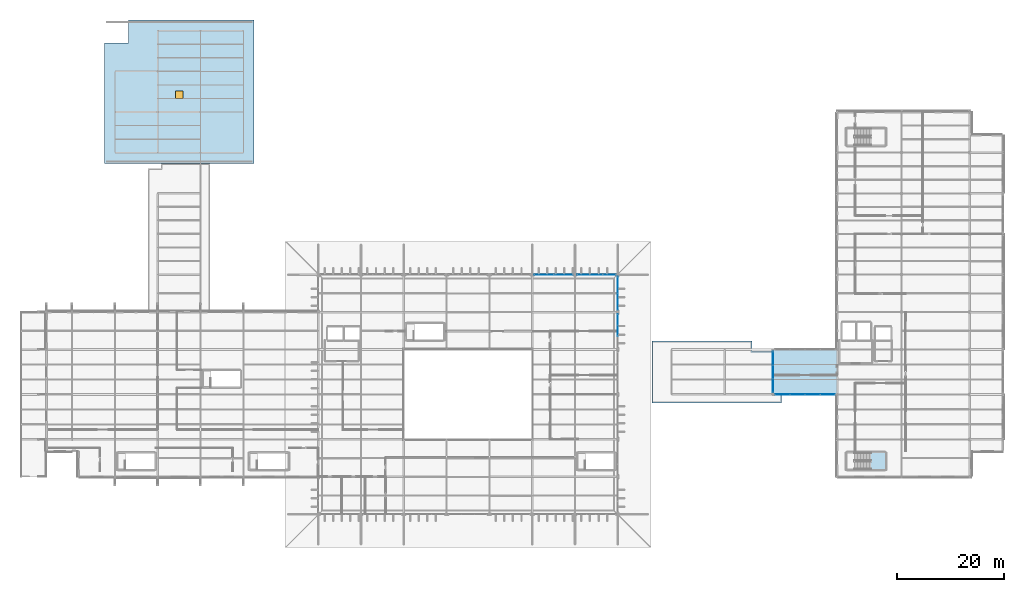
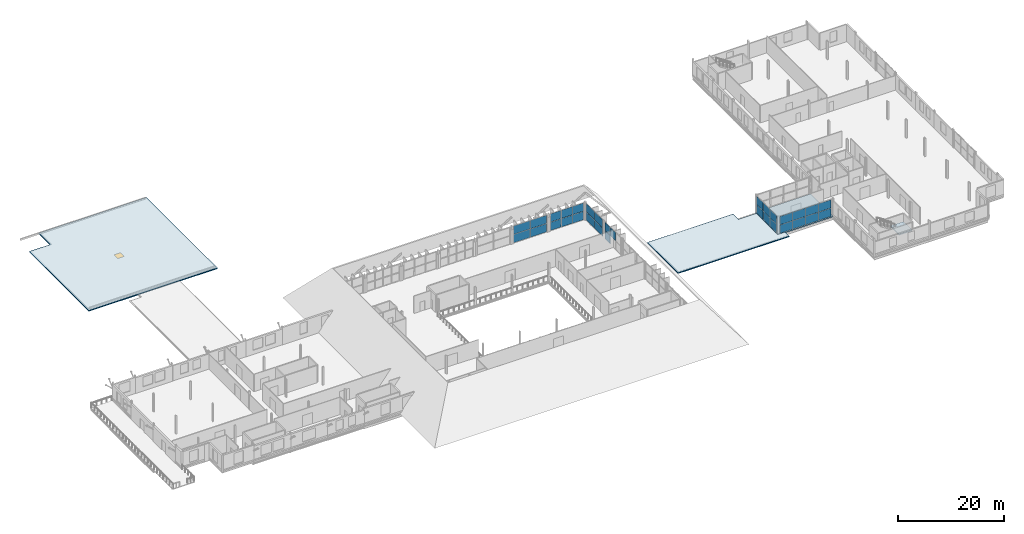
# One storey, part 77 of 93: 31 plates, 4 slabs, 1 window, 1 opening, 7 elements without a shape of their own.
"""IFC4 building model written with IfcOpenShell, lengths in metres."""

import ifcopenshell
import ifcopenshell.guid

model = None  # the IFC model being written
_history = None  # IfcOwnerHistory: only IFC2X3 demands one
_inside = {}  # id of a spatial element -> (the spatial element, [elements in it])
_under = {}  # id of a project, library or spatial element -> (it, [spatial elements below it])
_declared = {}  # id of a project -> (the project, [libraries it declares])
_typed = {}  # id of a type object -> (the type object, [elements of that type])
_made_of = {}  # id of a material, layer set ... -> (it, [elements and type objects made of it])


def new_model(schema):
    """Start an empty IFC model of exactly this schema.

    Asked for "IFC4X3", IfcOpenShell would pick the latest addendum, in which some entities
    have other attributes; the version numbers below select the first issue.
    IFC2X3 requires an IfcOwnerHistory on every rooted entity: one is made here for all.
    """
    global model, _history
    if schema == "IFC4X3":
        model = ifcopenshell.file(schema_version=(4, 3, 0, 0))
    else:
        model = ifcopenshell.file(schema=schema)
    _inside.clear()
    _under.clear()
    _declared.clear()
    _typed.clear()
    _made_of.clear()
    _history = None
    if model.schema == "IFC2X3":
        org = make("IfcOrganization", Name="unknown")
        user = make(
            "IfcPersonAndOrganization",
            ThePerson=make("IfcPerson", FamilyName="unknown"),
            TheOrganization=org,
        )
        app = make(
            "IfcApplication",
            ApplicationDeveloper=org,
            Version="unknown",
            ApplicationFullName="unknown",
            ApplicationIdentifier="unknown",
        )
        _history = make(
            "IfcOwnerHistory",
            OwningUser=user,
            OwningApplication=app,
            ChangeAction="ADDED",
            CreationDate=0,
        )
    return model


def make(cls, **values):
    """One entity of the class cls with the attributes given. An attribute that is None is left unset."""
    return model.create_entity(
        cls, **{name: value for name, value in values.items() if value is not None}
    )


def rooted(cls, **values):
    """An entity with a GlobalId (a new one), such as an element, a storey or a relation."""
    return make(cls, GlobalId=ifcopenshell.guid.new(), OwnerHistory=_history, **values)


def si_unit(unit_type, name, prefix=None):
    """IfcSIUnit, for example si_unit("LENGTHUNIT", "METRE", prefix="MILLI")."""
    return make("IfcSIUnit", UnitType=unit_type, Prefix=prefix, Name=name)


def assignment(units):
    """IfcUnitAssignment: the units of a project."""
    return None if units is None else make("IfcUnitAssignment", Units=units)


def point(xyz):
    """IfcCartesianPoint."""
    return None if xyz is None else make("IfcCartesianPoint", Coordinates=xyz)


def direction(xyz):
    """IfcDirection."""
    return None if xyz is None else make("IfcDirection", DirectionRatios=xyz)


def frame(location, z_axis=None, x_axis=None):
    """IfcAxis2Placement3D, a coordinate frame: its origin and axes. An axis left out is left unset."""
    return make(
        "IfcAxis2Placement3D",
        Location=point(location),
        Axis=direction(z_axis),
        RefDirection=direction(x_axis),
    )


def frame_2d(location, x_axis=None):
    """IfcAxis2Placement2D, a coordinate frame in the plane: its origin and x axis."""
    return make(
        "IfcAxis2Placement2D", Location=point(location), RefDirection=direction(x_axis)
    )


def origin():
    """The frame at (0, 0, 0) with its axes left unset."""
    return frame((0.0, 0.0, 0.0))


def origin_2d():
    """The frame at (0, 0) in the plane with its x axis left unset."""
    return frame_2d((0.0, 0.0))


def place(relative_to, where):
    """IfcLocalPlacement: puts the frame where relative to a parent placement (None: the world)."""
    return make(
        "IfcLocalPlacement", PlacementRelTo=relative_to, RelativePlacement=where
    )


def context(
    kind, dimensions, precision=None, world=None, true_north=None, identifier=None
):
    """IfcGeometricRepresentationContext, for example the 3D "Model" context."""
    return make(
        "IfcGeometricRepresentationContext",
        ContextIdentifier=identifier,
        ContextType=kind,
        CoordinateSpaceDimension=dimensions,
        Precision=precision,
        WorldCoordinateSystem=world,
        TrueNorth=true_north,
    )


def subcontext(parent, identifier, kind, view, scale=None):
    """IfcGeometricRepresentationSubContext, for example "Body" below "Model"."""
    return make(
        "IfcGeometricRepresentationSubContext",
        ContextIdentifier=identifier,
        ContextType=kind,
        ParentContext=parent,
        TargetScale=scale,
        TargetView=view,
    )


def project(units=None, contexts=None):
    """IfcProject with its units and contexts."""
    return rooted(
        "IfcProject",
        Name="project",
        RepresentationContexts=contexts,
        UnitsInContext=assignment(units),
    )


def spatial(cls, under=None, at=None, **own):
    """A site, building, storey or space (cls), placed at a placement, below another one or the project."""
    s = rooted(cls, ObjectPlacement=at, **own)
    if under is not None:
        _under.setdefault(under.id(), (under, []))[1].append(s)
    return s


def polyline(points):
    """IfcPolyline through the points."""
    return make("IfcPolyline", Points=[point(p) for p in points])


def profile(cls, at=None, kind="AREA", **sizes):
    """A parametric profile (cls). Its sizes go by their IFC names, for example OverallWidth=200.0."""
    return make(cls, ProfileType=kind, Position=at, **sizes)


def rectangle(**sizes):
    """IfcRectangleProfileDef."""
    return profile("IfcRectangleProfileDef", **sizes)


def outline(outer, holes=None, kind="AREA"):
    """IfcArbitraryClosedProfileDef: a profile drawn as a closed curve; with holes, ...WithVoids."""
    if holes is None:
        return make("IfcArbitraryClosedProfileDef", ProfileType=kind, OuterCurve=outer)
    return make(
        "IfcArbitraryProfileDefWithVoids",
        ProfileType=kind,
        OuterCurve=outer,
        InnerCurves=holes,
    )


def extrude(swept, where, along, depth):
    """IfcExtrudedAreaSolid: the profile swept, set in the frame where, extruded along a direction by depth."""
    return make(
        "IfcExtrudedAreaSolid",
        SweptArea=swept,
        Position=where,
        ExtrudedDirection=direction(along),
        Depth=depth,
    )


def shape(context_of_items, identifier, shape_type, items):
    """IfcShapeRepresentation: the items that make up one representation, for example the "Body"."""
    return make(
        "IfcShapeRepresentation",
        ContextOfItems=context_of_items,
        RepresentationIdentifier=identifier,
        RepresentationType=shape_type,
        Items=items,
    )


def material(Name=None, Category=None):
    """IfcMaterial."""
    return make("IfcMaterial", Name=Name, Category=Category)


def layer(
    of_material, thickness, ventilated=None, Name=None, Category=None, Priority=None
):
    """IfcMaterialLayer: one layer of a wall or slab, of a material (None: an air gap)."""
    return make(
        "IfcMaterialLayer",
        Material=of_material,
        LayerThickness=thickness,
        IsVentilated=ventilated,
        Name=Name,
        Category=Category,
        Priority=Priority,
    )


def layer_set(layers, Name=None):
    """IfcMaterialLayerSet."""
    return make("IfcMaterialLayerSet", MaterialLayers=layers, LayerSetName=Name)


def made_of(thing, what):
    """Note that an element or type object is made of a material, layer set ...; save() writes the relation."""
    if what is not None:
        _made_of.setdefault(what.id(), (what, []))[1].append(thing)
    return thing


def type_object(cls, material=None, **own):
    """A type object (cls), such as IfcWallType, which elements share."""
    return made_of(rooted(cls, **own), material)


def element(
    cls,
    number,
    at=None,
    inside=None,
    cuts=None,
    type_object=None,
    material=None,
    context=None,
    identifier="Body",
    shape_type=None,
    held_by="IfcProductDefinitionShape",
    body=None,
    shapes=None,
    **own,
):
    """One element of the class cls, such as IfcWall. Its Tag is "e" and its number.

    at: its placement. inside: the storey or other place that contains it. cuts: it is an
    opening in that element (IfcRelVoidsElement). A single representation is given by context,
    identifier, shape_type and body (its items); several are given by shapes. held_by: the class
    of the entity that holds the representations. save() writes the other relations.
    """
    e = rooted(cls, Tag="e%d" % number, ObjectPlacement=at, **own)
    if body is not None:
        shapes = [shape(context, identifier, shape_type, body)]
    if shapes is not None:
        e.Representation = make(held_by, Representations=shapes)
    if inside is not None:
        _inside.setdefault(inside.id(), (inside, []))[1].append(e)
    if cuts is not None:
        rooted(
            "IfcRelVoidsElement", RelatingBuildingElement=cuts, RelatedOpeningElement=e
        )
    if type_object is not None:
        _typed.setdefault(type_object.id(), (type_object, []))[1].append(e)
    return made_of(e, material)


def fill(opening, filler):
    """IfcRelFillsElement: the door or window that sits in an opening."""
    return rooted(
        "IfcRelFillsElement",
        RelatingOpeningElement=opening,
        RelatedBuildingElement=filler,
    )


def aggregate(whole, parts):
    """IfcRelAggregates: a whole, such as a stair, and the parts it consists of."""
    return rooted("IfcRelAggregates", RelatingObject=whole, RelatedObjects=parts)


def save(model, path):
    """Write the relations noted so far, then the file.

    IfcRelAggregates (storeys below a building ...), IfcRelContainedInSpatialStructure (elements
    in a storey), IfcRelDefinesByType, IfcRelAssociatesMaterial and IfcRelDeclares: one each for
    every whole, place, type object, material and project.
    """
    for whole, parts in _under.values():
        aggregate(whole, parts)
    for where, things in _inside.values():
        rooted(
            "IfcRelContainedInSpatialStructure",
            RelatedElements=things,
            RelatingStructure=where,
        )
    for kind, things in _typed.values():
        rooted("IfcRelDefinesByType", RelatedObjects=things, RelatingType=kind)
    for what, things in _made_of.values():
        rooted("IfcRelAssociatesMaterial", RelatedObjects=things, RelatingMaterial=what)
    for by, libraries in _declared.values():
        rooted("IfcRelDeclares", RelatingContext=by, RelatedDefinitions=libraries)
    model.write(path)


model = new_model("IFC4")

# Units and contexts
model_context = context("Model", 3, precision=1e-05, world=origin(), true_north=direction((0.0, 1.0)))
body_context = subcontext(model_context, "Body", "Model", "MODEL_VIEW")
ifc_project = project(units=[si_unit("LENGTHUNIT", "METRE"), si_unit("AREAUNIT", "SQUARE_METRE"), si_unit("VOLUMEUNIT", "CUBIC_METRE"), si_unit("PLANEANGLEUNIT", "RADIAN"), si_unit("MASSUNIT", "GRAM", prefix="KILO")], contexts=[model_context])

# Site, building, storey
site_placement = place(None, origin())
site = spatial("IfcSite", under=ifc_project, at=site_placement, CompositionType="ELEMENT")
building_placement = place(site_placement, origin())
building = spatial("IfcBuilding", under=site, at=building_placement, Name="Vekula Escarpment Museum", CompositionType="ELEMENT")
storey_placement = place(building_placement, frame((0.0, 0.0, 22.199951171875)))
storey = spatial("IfcBuildingStorey", under=building, at=storey_placement, Name="L05", CompositionType="ELEMENT", Elevation=22.199951171875)

# Curtain wall, plates
ifc_material_1 = material(Name="Aluminium thermally broken framing", Category="aluminium")
ifc_layer_1 = layer(ifc_material_1, 0.139892578125)
ifc_layer_set_1 = layer_set([ifc_layer_1], Name="Aluminium thermally broken framing")
curtain_wall_type_1 = type_object("IfcCurtainWallType", Name="CW-SYS-06", PredefinedType="NOTDEFINED", material=ifc_layer_set_1)
curtain_wall_1_placement = place(storey_placement, origin())
curtain_wall_1 = element("IfcCurtainWall", 1, at=curtain_wall_1_placement, inside=storey, type_object=curtain_wall_type_1, Name="Curtain Wall CW-L05-176", PredefinedType="NOTDEFINED")
ifc_material_2 = material(Name="Double solar-control low-E glass", Category="glass")
ifc_layer_2 = layer(ifc_material_2, 0.028076171875)
ifc_layer_set_2 = layer_set([ifc_layer_2], Name="Double solar-control low-E glass")
plate_type_1 = type_object("IfcPlateType", Name="CW-PNL-28", PredefinedType="CURTAIN_PANEL", material=ifc_layer_set_2)
plate_1_placement = place(storey_placement, frame((124.41162109375, 90.39990234375, 0.06005859375), z_axis=(0.0, 0.0, 1.0), x_axis=(-1.0, 0.0, 0.0)))
plate_1 = element("IfcPlate", 2, at=plate_1_placement, type_object=plate_type_1, Name="CW-06 panel 1.1", PredefinedType="CURTAIN_PANEL", context=body_context, shape_type="SweptSolid", body=[
    extrude(rectangle(XDim=2.336669921875, YDim=0.028076171875, at=origin_2d()), origin(), (0.0, 0.0, 1.0), 1.89990234375),
])
plate_2_placement = place(storey_placement, frame((124.41162109375, 90.39990234375, 2.02001953125), z_axis=(0.0, 0.0, 1.0), x_axis=(-1.0, 0.0, 0.0)))
plate_2 = element("IfcPlate", 3, at=plate_2_placement, type_object=plate_type_1, Name="CW-06 panel 1.2", PredefinedType="CURTAIN_PANEL", context=body_context, shape_type="SweptSolid", body=[
    extrude(rectangle(XDim=2.336669921875, YDim=0.028076171875, at=origin_2d()), origin(), (0.0, 0.0, 1.0), 1.89990234375),
])
plate_3_placement = place(storey_placement, frame((122.0, 90.39990234375, 0.06005859375), z_axis=(0.0, 0.0, 1.0), x_axis=(-1.0, 0.0, 0.0)))
plate_3 = element("IfcPlate", 4, at=plate_3_placement, type_object=plate_type_1, Name="CW-06 panel 2.1", PredefinedType="CURTAIN_PANEL", context=body_context, shape_type="SweptSolid", body=[
    extrude(rectangle(XDim=2.36669921875, YDim=0.028076171875, at=origin_2d()), origin(), (0.0, 0.0, 1.0), 1.89990234375),
])
plate_4_placement = place(storey_placement, frame((122.0, 90.39990234375, 2.02001953125), z_axis=(0.0, 0.0, 1.0), x_axis=(-1.0, 0.0, 0.0)))
plate_4 = element("IfcPlate", 5, at=plate_4_placement, type_object=plate_type_1, Name="CW-06 panel 2.2", PredefinedType="CURTAIN_PANEL", context=body_context, shape_type="SweptSolid", body=[
    extrude(rectangle(XDim=2.36669921875, YDim=0.028076171875, at=origin_2d()), origin(), (0.0, 0.0, 1.0), 1.89990234375),
])
plate_5_placement = place(storey_placement, frame((119.58837890625, 90.39990234375, 0.06005859375), z_axis=(0.0, 0.0, 1.0), x_axis=(-1.0, 0.0, 0.0)))
plate_5 = element("IfcPlate", 6, at=plate_5_placement, type_object=plate_type_1, Name="CW-06 panel 3.1", PredefinedType="CURTAIN_PANEL", context=body_context, shape_type="SweptSolid", body=[
    extrude(rectangle(XDim=2.336669921875, YDim=0.028076171875, at=origin_2d()), origin(), (0.0, 0.0, 1.0), 1.89990234375),
])
plate_6_placement = place(storey_placement, frame((119.58837890625, 90.39990234375, 2.02001953125), z_axis=(0.0, 0.0, 1.0), x_axis=(-1.0, 0.0, 0.0)))
plate_6 = element("IfcPlate", 7, at=plate_6_placement, type_object=plate_type_1, Name="CW-06 panel 3.2", PredefinedType="CURTAIN_PANEL", context=body_context, shape_type="SweptSolid", body=[
    extrude(rectangle(XDim=2.336669921875, YDim=0.028076171875, at=origin_2d()), origin(), (0.0, 0.0, 1.0), 1.89990234375),
])
aggregate(curtain_wall_1, [plate_1, plate_2, plate_3, plate_4, plate_5, plate_6])

ifc_material_3 = material(Name="Aluminium thermally broken framing", Category="aluminium")
ifc_layer_3 = layer(ifc_material_3, 0.199951171875)
ifc_layer_set_3 = layer_set([ifc_layer_3], Name="Aluminium thermally broken framing")
curtain_wall_type_2 = type_object("IfcCurtainWallType", Name="CW-SYS-04", PredefinedType="NOTDEFINED", material=ifc_layer_set_3)
curtain_wall_2_placement = place(storey_placement, origin())
curtain_wall_2 = element("IfcCurtainWall", 8, at=curtain_wall_2_placement, inside=storey, type_object=curtain_wall_type_2, Name="Curtain Wall CW-L05-184", PredefinedType="NOTDEFINED")
plate_7_placement = place(storey_placement, frame((155.0, 74.7451171875, 0.06005859375), z_axis=(0.0, 0.0, 1.0), x_axis=(0.0, -1.0, 0.0)))
plate_7 = element("IfcPlate", 9, at=plate_7_placement, type_object=plate_type_1, Name="CW-04 panel 1.1", PredefinedType="CURTAIN_PANEL", context=body_context, shape_type="SweptSolid", body=[
    extrude(rectangle(XDim=2.469970703125, YDim=0.028076171875, at=origin_2d()), origin(), (0.0, 0.0, 1.0), 1.89990234375),
])
plate_8_placement = place(storey_placement, frame((155.0, 74.7451171875, 2.02001953125), z_axis=(0.0, 0.0, 1.0), x_axis=(0.0, -1.0, 0.0)))
plate_8 = element("IfcPlate", 10, at=plate_8_placement, type_object=plate_type_1, Name="CW-04 panel 1.2", PredefinedType="CURTAIN_PANEL", context=body_context, shape_type="SweptSolid", body=[
    extrude(rectangle(XDim=2.469970703125, YDim=0.028076171875, at=origin_2d()), origin(), (0.0, 0.0, 1.0), 1.89990234375),
])
plate_9_placement = place(storey_placement, frame((155.0, 72.199951171875, 0.06005859375), z_axis=(0.0, 0.0, 1.0), x_axis=(0.0, -1.0, 0.0)))
plate_9 = element("IfcPlate", 11, at=plate_9_placement, type_object=plate_type_1, Name="CW-04 panel 2.1", PredefinedType="CURTAIN_PANEL", context=body_context, shape_type="SweptSolid", body=[
    extrude(rectangle(XDim=2.5, YDim=0.028076171875, at=origin_2d()), origin(), (0.0, 0.0, 1.0), 1.89990234375),
])
plate_10_placement = place(storey_placement, frame((155.0, 72.199951171875, 2.02001953125), z_axis=(0.0, 0.0, 1.0), x_axis=(0.0, -1.0, 0.0)))
plate_10 = element("IfcPlate", 12, at=plate_10_placement, type_object=plate_type_1, Name="CW-04 panel 2.2", PredefinedType="CURTAIN_PANEL", context=body_context, shape_type="SweptSolid", body=[
    extrude(rectangle(XDim=2.5, YDim=0.028076171875, at=origin_2d()), origin(), (0.0, 0.0, 1.0), 1.89990234375),
])
plate_11_placement = place(storey_placement, frame((155.0, 69.655029296875, 0.06005859375), z_axis=(0.0, 0.0, 1.0), x_axis=(0.0, -1.0, 0.0)))
plate_11 = element("IfcPlate", 13, at=plate_11_placement, type_object=plate_type_1, Name="CW-04 panel 3.1", PredefinedType="CURTAIN_PANEL", context=body_context, shape_type="SweptSolid", body=[
    extrude(rectangle(XDim=2.469970703125, YDim=0.028076171875, at=origin_2d()), origin(), (0.0, 0.0, 1.0), 1.89990234375),
])
plate_12_placement = place(storey_placement, frame((155.0, 69.655029296875, 2.02001953125), z_axis=(0.0, 0.0, 1.0), x_axis=(0.0, -1.0, 0.0)))
plate_12 = element("IfcPlate", 14, at=plate_12_placement, type_object=plate_type_1, Name="CW-04 panel 3.2", PredefinedType="CURTAIN_PANEL", context=body_context, shape_type="SweptSolid", body=[
    extrude(rectangle(XDim=2.469970703125, YDim=0.028076171875, at=origin_2d()), origin(), (0.0, 0.0, 1.0), 1.89990234375),
])
aggregate(curtain_wall_2, [plate_7, plate_8, plate_9, plate_10, plate_11, plate_12])

ifc_material_4 = material(Name="Aluminium thermally broken framing", Category="aluminium")
ifc_layer_4 = layer(ifc_material_4, 0.179931640625)
ifc_layer_set_4 = layer_set([ifc_layer_4], Name="Aluminium thermally broken framing")
curtain_wall_type_3 = type_object("IfcCurtainWallType", Name="CW-SYS-07", PredefinedType="NOTDEFINED", material=ifc_layer_set_4)
curtain_wall_3_placement = place(storey_placement, origin())
curtain_wall_3 = element("IfcCurtainWall", 15, at=curtain_wall_3_placement, inside=storey, type_object=curtain_wall_type_3, Name="Curtain Wall CW-L05-177", PredefinedType="NOTDEFINED")
ifc_material_5 = material(Name="Acoustic laminated double low-E glass", Category="glass")
ifc_layer_5 = layer(ifc_material_5, 0.031982421875)
ifc_layer_set_5 = layer_set([ifc_layer_5], Name="Acoustic laminated double low-E glass")
plate_type_2 = type_object("IfcPlateType", Name="CW-PNL-32", PredefinedType="CURTAIN_PANEL", material=ifc_layer_set_5)
plate_13_placement = place(storey_placement, frame((115.804931640625, 90.39990234375, 0.06005859375), z_axis=(0.0, 0.0, 1.0), x_axis=(-1.0, 0.0, 0.0)))
plate_13 = element("IfcPlate", 16, at=plate_13_placement, type_object=plate_type_2, Name="CW-07 panel 1.1", PredefinedType="CURTAIN_PANEL", context=body_context, shape_type="SweptSolid", body=[
    extrude(rectangle(XDim=3.550048828125, YDim=0.031982421875, at=origin_2d()), origin(), (0.0, 0.0, 1.0), 1.89990234375),
])
plate_14_placement = place(storey_placement, frame((115.804931640625, 90.39990234375, 2.02001953125), z_axis=(0.0, 0.0, 1.0), x_axis=(-1.0, 0.0, 0.0)))
plate_14 = element("IfcPlate", 17, at=plate_14_placement, type_object=plate_type_2, Name="CW-07 panel 1.2", PredefinedType="CURTAIN_PANEL", context=body_context, shape_type="SweptSolid", body=[
    extrude(rectangle(XDim=3.550048828125, YDim=0.031982421875, at=origin_2d()), origin(), (0.0, 0.0, 1.0), 1.89990234375),
])
plate_15_placement = place(storey_placement, frame((112.195068359375, 90.39990234375, 0.06005859375), z_axis=(0.0, 0.0, 1.0), x_axis=(-1.0, 0.0, 0.0)))
plate_15 = element("IfcPlate", 18, at=plate_15_placement, type_object=plate_type_2, Name="CW-07 panel 2.1", PredefinedType="CURTAIN_PANEL", context=body_context, shape_type="SweptSolid", body=[
    extrude(rectangle(XDim=3.550048828125, YDim=0.031982421875, at=origin_2d()), origin(), (0.0, 0.0, 1.0), 1.89990234375),
])
plate_16_placement = place(storey_placement, frame((112.195068359375, 90.39990234375, 2.02001953125), z_axis=(0.0, 0.0, 1.0), x_axis=(-1.0, 0.0, 0.0)))
plate_16 = element("IfcPlate", 19, at=plate_16_placement, type_object=plate_type_2, Name="CW-07 panel 2.2", PredefinedType="CURTAIN_PANEL", context=body_context, shape_type="SweptSolid", body=[
    extrude(rectangle(XDim=3.550048828125, YDim=0.031982421875, at=origin_2d()), origin(), (0.0, 0.0, 1.0), 1.89990234375),
])
aggregate(curtain_wall_3, [plate_13, plate_14, plate_15, plate_16])

ifc_material_6 = material(Name="Aluminium thermally broken framing", Category="aluminium")
ifc_layer_6 = layer(ifc_material_6, 0.159912109375)
ifc_layer_set_6 = layer_set([ifc_layer_6], Name="Aluminium thermally broken framing")
curtain_wall_type_4 = type_object("IfcCurtainWallType", Name="CW-SYS-05", PredefinedType="NOTDEFINED", material=ifc_layer_set_6)
curtain_wall_4_placement = place(storey_placement, origin())
curtain_wall_4 = element("IfcCurtainWall", 20, at=curtain_wall_4_placement, inside=storey, type_object=curtain_wall_type_4, Name="Curtain Wall CW-L05-185", PredefinedType="NOTDEFINED")
plate_17_placement = place(storey_placement, frame((156.784912109375, 68.0, 0.06005859375), z_axis=(0.0, 0.0, 1.0), x_axis=(1.0, 0.0, 0.0)))
plate_17 = element("IfcPlate", 21, at=plate_17_placement, type_object=plate_type_2, Name="CW-05 panel 1.1", PredefinedType="CURTAIN_PANEL", context=body_context, shape_type="SweptSolid", body=[
    extrude(rectangle(XDim=2.72998046875, YDim=0.031982421875, at=origin_2d()), origin(), (0.0, 0.0, 1.0), 1.89990234375),
])
plate_18_placement = place(storey_placement, frame((156.784912109375, 68.0, 2.02001953125), z_axis=(0.0, 0.0, 1.0), x_axis=(1.0, 0.0, 0.0)))
plate_18 = element("IfcPlate", 22, at=plate_18_placement, type_object=plate_type_2, Name="CW-05 panel 1.2", PredefinedType="CURTAIN_PANEL", context=body_context, shape_type="SweptSolid", body=[
    extrude(rectangle(XDim=2.72998046875, YDim=0.031982421875, at=origin_2d()), origin(), (0.0, 0.0, 1.0), 1.89990234375),
])
plate_19_placement = place(storey_placement, frame((159.590087890625, 68.0, 0.06005859375), z_axis=(0.0, 0.0, 1.0), x_axis=(1.0, 0.0, 0.0)))
plate_19 = element("IfcPlate", 23, at=plate_19_placement, type_object=plate_type_2, Name="CW-05 panel 2.1", PredefinedType="CURTAIN_PANEL", context=body_context, shape_type="SweptSolid", body=[
    extrude(rectangle(XDim=2.760009765625, YDim=0.031982421875, at=origin_2d()), origin(), (0.0, 0.0, 1.0), 1.89990234375),
])
plate_20_placement = place(storey_placement, frame((159.590087890625, 68.0, 2.02001953125), z_axis=(0.0, 0.0, 1.0), x_axis=(1.0, 0.0, 0.0)))
plate_20 = element("IfcPlate", 24, at=plate_20_placement, type_object=plate_type_2, Name="CW-05 panel 2.2", PredefinedType="CURTAIN_PANEL", context=body_context, shape_type="SweptSolid", body=[
    extrude(rectangle(XDim=2.760009765625, YDim=0.031982421875, at=origin_2d()), origin(), (0.0, 0.0, 1.0), 1.89990234375),
])
plate_21_placement = place(storey_placement, frame((162.409912109375, 68.0, 0.06005859375), z_axis=(0.0, 0.0, 1.0), x_axis=(1.0, 0.0, 0.0)))
plate_21 = element("IfcPlate", 25, at=plate_21_placement, type_object=plate_type_2, Name="CW-05 panel 3.1", PredefinedType="CURTAIN_PANEL", context=body_context, shape_type="SweptSolid", body=[
    extrude(rectangle(XDim=2.760009765625, YDim=0.031982421875, at=origin_2d()), origin(), (0.0, 0.0, 1.0), 1.89990234375),
])
plate_22_placement = place(storey_placement, frame((162.409912109375, 68.0, 2.02001953125), z_axis=(0.0, 0.0, 1.0), x_axis=(1.0, 0.0, 0.0)))
plate_22 = element("IfcPlate", 26, at=plate_22_placement, type_object=plate_type_2, Name="CW-05 panel 3.2", PredefinedType="CURTAIN_PANEL", context=body_context, shape_type="SweptSolid", body=[
    extrude(rectangle(XDim=2.760009765625, YDim=0.031982421875, at=origin_2d()), origin(), (0.0, 0.0, 1.0), 1.89990234375),
])
plate_23_placement = place(storey_placement, frame((165.215087890625, 68.0, 0.06005859375), z_axis=(0.0, 0.0, 1.0), x_axis=(1.0, 0.0, 0.0)))
plate_23 = element("IfcPlate", 27, at=plate_23_placement, type_object=plate_type_2, Name="CW-05 panel 4.1", PredefinedType="CURTAIN_PANEL", context=body_context, shape_type="SweptSolid", body=[
    extrude(rectangle(XDim=2.72998046875, YDim=0.031982421875, at=origin_2d()), origin(), (0.0, 0.0, 1.0), 1.89990234375),
])
plate_24_placement = place(storey_placement, frame((165.215087890625, 68.0, 2.02001953125), z_axis=(0.0, 0.0, 1.0), x_axis=(1.0, 0.0, 0.0)))
plate_24 = element("IfcPlate", 28, at=plate_24_placement, type_object=plate_type_2, Name="CW-05 panel 4.2", PredefinedType="CURTAIN_PANEL", context=body_context, shape_type="SweptSolid", body=[
    extrude(rectangle(XDim=2.72998046875, YDim=0.031982421875, at=origin_2d()), origin(), (0.0, 0.0, 1.0), 1.89990234375),
])
aggregate(curtain_wall_4, [plate_17, plate_18, plate_19, plate_20, plate_21, plate_22, plate_23, plate_24])

curtain_wall_5_placement = place(storey_placement, origin())
curtain_wall_5 = element("IfcCurtainWall", 29, at=curtain_wall_5_placement, inside=storey, type_object=curtain_wall_type_2, Name="Curtain Wall CW-L05-174", PredefinedType="NOTDEFINED")
ifc_material_7 = material(Name="Triple UV-filtered museum gallery glass", Category="glass")
ifc_layer_7 = layer(ifc_material_7, 0.035888671875)
ifc_layer_set_7 = layer_set([ifc_layer_7], Name="Triple UV-filtered museum gallery glass")
plate_type_3 = type_object("IfcPlateType", Name="CW-PNL-36", PredefinedType="CURTAIN_PANEL", material=ifc_layer_set_7)
plate_25_placement = place(storey_placement, frame((126.0, 79.89990234375, 2.02001953125), z_axis=(0.0, 0.0, 1.0), x_axis=(0.0, 1.0, 0.0)))
plate_25 = element("IfcPlate", 30, at=plate_25_placement, type_object=plate_type_3, Name="CW-04 panel 2.2", PredefinedType="CURTAIN_PANEL", context=body_context, shape_type="SweptSolid", body=[
    extrude(rectangle(XDim=2.033447265625, YDim=0.035888671875, at=origin_2d()), origin(), (0.0, 0.0, 1.0), 1.89990234375),
])
plate_26_placement = place(storey_placement, frame((126.0, 81.978271484375, 0.06005859375), z_axis=(0.0, 0.0, 1.0), x_axis=(0.0, 1.0, 0.0)))
plate_26 = element("IfcPlate", 31, at=plate_26_placement, type_object=plate_type_3, Name="CW-04 panel 3.1", PredefinedType="CURTAIN_PANEL", context=body_context, shape_type="SweptSolid", body=[
    extrude(rectangle(XDim=2.00341796875, YDim=0.035888671875, at=origin_2d()), origin(), (0.0, 0.0, 1.0), 1.89990234375),
])
plate_27_placement = place(storey_placement, frame((126.0, 81.978271484375, 2.02001953125), z_axis=(0.0, 0.0, 1.0), x_axis=(0.0, 1.0, 0.0)))
plate_27 = element("IfcPlate", 32, at=plate_27_placement, type_object=plate_type_3, Name="CW-04 panel 3.2", PredefinedType="CURTAIN_PANEL", context=body_context, shape_type="SweptSolid", body=[
    extrude(rectangle(XDim=2.00341796875, YDim=0.035888671875, at=origin_2d()), origin(), (0.0, 0.0, 1.0), 1.89990234375),
])
aggregate(curtain_wall_5, [plate_25, plate_26, plate_27])

curtain_wall_6_placement = place(storey_placement, origin())
curtain_wall_6 = element("IfcCurtainWall", 33, at=curtain_wall_6_placement, inside=storey, type_object=curtain_wall_type_4, Name="Curtain Wall CW-L05-175", PredefinedType="NOTDEFINED")
ifc_material_8 = material(Name="Insulated bronze spandrel glass panel", Category="glass")
ifc_layer_8 = layer(ifc_material_8, 0.0400390625)
ifc_layer_set_8 = layer_set([ifc_layer_8], Name="Insulated bronze spandrel glass panel")
plate_type_4 = type_object("IfcPlateType", Name="CW-PNL-40", PredefinedType="CURTAIN_PANEL", material=ifc_layer_set_8)
plate_28_placement = place(storey_placement, frame((126.0, 85.344970703125, 0.06005859375), z_axis=(0.0, 0.0, 1.0), x_axis=(0.0, 1.0, 0.0)))
plate_28 = element("IfcPlate", 34, at=plate_28_placement, type_object=plate_type_4, Name="CW-05 panel 1.1", PredefinedType="CURTAIN_PANEL", context=body_context, shape_type="SweptSolid", body=[
    extrude(rectangle(XDim=3.050048828125, YDim=0.0400390625, at=origin_2d()), origin(), (0.0, 0.0, 1.0), 1.89990234375),
])
plate_29_placement = place(storey_placement, frame((126.0, 85.344970703125, 2.02001953125), z_axis=(0.0, 0.0, 1.0), x_axis=(0.0, 1.0, 0.0)))
plate_29 = element("IfcPlate", 35, at=plate_29_placement, type_object=plate_type_4, Name="CW-05 panel 1.2", PredefinedType="CURTAIN_PANEL", context=body_context, shape_type="SweptSolid", body=[
    extrude(rectangle(XDim=3.050048828125, YDim=0.0400390625, at=origin_2d()), origin(), (0.0, 0.0, 1.0), 1.89990234375),
])
plate_30_placement = place(storey_placement, frame((126.0, 88.455078125, 0.06005859375), z_axis=(0.0, 0.0, 1.0), x_axis=(0.0, 1.0, 0.0)))
plate_30 = element("IfcPlate", 36, at=plate_30_placement, type_object=plate_type_4, Name="CW-05 panel 2.1", PredefinedType="CURTAIN_PANEL", context=body_context, shape_type="SweptSolid", body=[
    extrude(rectangle(XDim=3.050048828125, YDim=0.0400390625, at=origin_2d()), origin(), (0.0, 0.0, 1.0), 1.89990234375),
])
plate_31_placement = place(storey_placement, frame((126.0, 88.455078125, 2.02001953125), z_axis=(0.0, 0.0, 1.0), x_axis=(0.0, 1.0, 0.0)))
plate_31 = element("IfcPlate", 37, at=plate_31_placement, type_object=plate_type_4, Name="CW-05 panel 2.2", PredefinedType="CURTAIN_PANEL", context=body_context, shape_type="SweptSolid", body=[
    extrude(rectangle(XDim=3.050048828125, YDim=0.0400390625, at=origin_2d()), origin(), (0.0, 0.0, 1.0), 1.89990234375),
])
aggregate(curtain_wall_6, [plate_28, plate_29, plate_30, plate_31])

# Slab
ifc_material_9 = material(Name="Concrete C35/45", Category="concrete")
ifc_layer_9 = layer(ifc_material_9, 0.219970703125)
ifc_layer_set_9 = layer_set([ifc_layer_9], Name="Concrete C35/45")
slab_type_1 = type_object("IfcSlabType", Name="SL-FLR-220", PredefinedType="FLOOR", material=ifc_layer_set_9)
slab_1_placement = place(storey_placement, frame((0.0, 0.0, -0.219970703125)))
element("IfcSlab", 38, at=slab_1_placement, inside=storey, type_object=slab_type_1, Name="Floor Slab W-L05-V3-ELK", PredefinedType="FLOOR", context=body_context, shape_type="SweptSolid", body=[
    extrude(outline(polyline([(155.0, 68.0), (167.0, 68.0), (167.0, 76.39990234375), (155.0, 76.39990234375), (155.0, 68.0)])), origin(), (0.0, 0.0, 1.0), 0.219970703125),
])

# Stair, slab
ifc_material_10 = material(Name="Concrete C35/45", Category="concrete")
stair_type = type_object("IfcStairType", Name="STR-TYPE-145", PredefinedType="HALF_TURN_STAIR", material=ifc_material_10)
stair_placement = place(storey_placement, origin())
stair = element("IfcStair", 39, at=stair_placement, inside=storey, type_object=stair_type, Name="L05 East Gallery Exit Stair ST-02", PredefinedType="HALF_TURN_STAIR")
ifc_material_11 = material(Name="Concrete C35/45", Category="concrete")
ifc_layer_10 = layer(ifc_material_11, 0.199951171875)
ifc_layer_set_10 = layer_set([ifc_layer_10], Name="Concrete C35/45")
slab_type_2 = type_object("IfcSlabType", Name="SL-LAND-200", PredefinedType="LANDING", material=ifc_layer_set_10)
slab_2_placement = place(storey_placement, frame((0.0, 0.0, 1.900146484375)))
slab_2 = element("IfcSlab", 40, at=slab_2_placement, type_object=slab_type_2, Name="ST-02 landing 1", PredefinedType="LANDING", context=body_context, shape_type="SweptSolid", body=[
    extrude(outline(polyline([(173.239990234375, 53.909912109375), (176.090087890625, 53.909912109375), (176.090087890625, 57.18994140625), (173.239990234375, 57.18994140625), (173.239990234375, 53.909912109375)])), origin(), (0.0, 0.0, 1.0), 0.199951171875),
])
aggregate(stair, [slab_2])

# Slab, opening, window
ifc_material_12 = material(Name="Concrete C35/45", Category="concrete")
ifc_layer_11 = layer(ifc_material_12, 0.199951171875)
ifc_layer_set_11 = layer_set([ifc_layer_11], Name="Concrete C35/45")
slab_type_3 = type_object("IfcSlabType", Name="SL-ROOF-200", PredefinedType="ROOF", material=ifc_layer_set_11)
slab_3_placement = place(storey_placement, frame((0.0, 0.0, -0.199951171875)))
slab_3 = element("IfcSlab", 41, at=slab_3_placement, inside=storey, type_object=slab_type_3, Name="Overhanging Eave Roof Slab R-L05-V5NW", PredefinedType="ROOF", context=body_context, shape_type="SweptSolid", body=[
    extrude(outline(polyline([(30.0, 133.66796875), (34.56005859375, 133.66796875), (34.56005859375, 138.0), (58.0, 138.0), (58.0, 111.199951171875), (30.0, 111.199951171875), (30.0, 133.66796875)])), origin(), (0.0, 0.0, 1.0), 0.199951171875),
])
opening_placement = place(slab_3_placement, frame((44.0, 124.0, -0.010009765625)))
opening = element("IfcOpeningElement", 42, at=opening_placement, cuts=slab_3, Name="Opening RH-02", PredefinedType="OPENING", context=body_context, shape_type="SweptSolid", body=[
    extrude(rectangle(XDim=1.39990234375, YDim=1.39990234375, at=origin_2d()), origin(), (0.0, 0.0, 1.0), 0.219970703125),
])
ifc_material_13 = material(Name="Double solar-control low-E glass", Category="glass")
window_type = type_object("IfcWindowType", Name="SK-HATCH-14x14", PartitioningType="SINGLE_PANEL", PredefinedType="SKYLIGHT", material=ifc_material_13)
window_placement = place(opening_placement, frame((0.0, 0.0, 0.14990234375)))
window = element("IfcWindow", 43, at=window_placement, inside=storey, type_object=window_type, Name="Roof Access Hatch RH-04", OverallHeight=1.39990234375, OverallWidth=1.39990234375, PartitioningType="SINGLE_PANEL", PredefinedType="SKYLIGHT", context=body_context, shape_type="SweptSolid", body=[
    extrude(rectangle(XDim=1.39990234375, YDim=1.39990234375, at=origin_2d()), origin(), (0.0, 0.0, 1.0), 0.050048828125),
])
fill(opening, window)

# Slab
slab_4_placement = place(storey_placement, frame((0.0, 0.0, -0.199951171875)))
element("IfcSlab", 44, at=slab_4_placement, inside=storey, type_object=slab_type_3, Name="Overhanging Eave Roof Slab R-L05-V3ELK", PredefinedType="ROOF", context=body_context, shape_type="SweptSolid", body=[
    extrude(outline(polyline([(151.06494140625, 78.0), (151.06494140625, 76.0), (154.969970703125, 76.0), (154.969970703125, 67.969970703125), (156.56005859375, 67.969970703125), (156.56005859375, 66.39990234375), (132.35009765625, 66.39990234375), (132.35009765625, 78.0), (151.06494140625, 78.0)])), origin(), (0.0, 0.0, 1.0), 0.199951171875),
])

save(model, "model.ifc")
